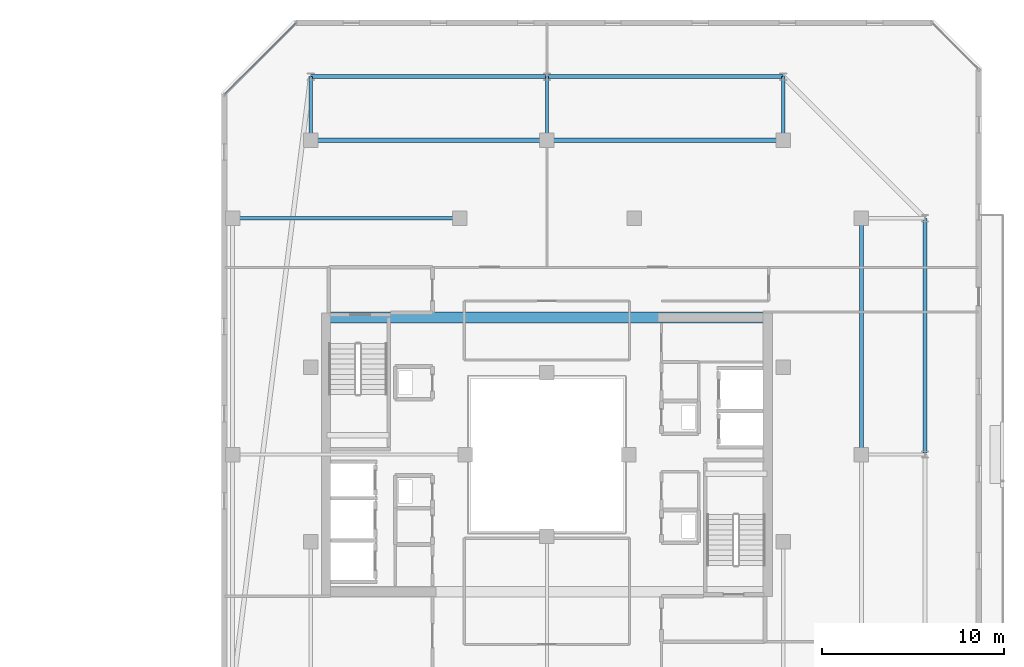
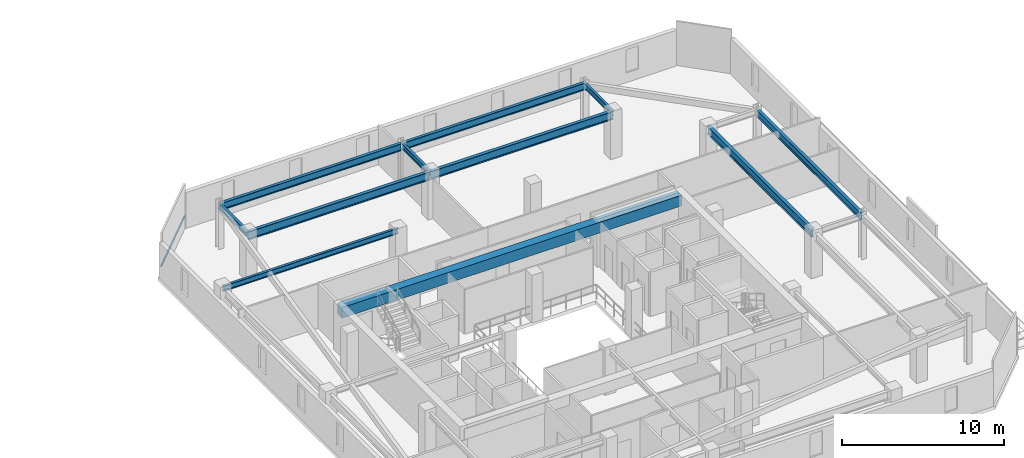
# One storey, part 17 of 34: 11 beams, 1 member, 1 element without a shape of its own.
"""IFC4 building model written with IfcOpenShell, lengths in metres."""

from ifc_helpers import new_model, si_unit, direction, frame, origin, origin_2d, place, context, subcontext, project, spatial, rectangle, hollow_rectangle, i_section, extrude, material, material_profile, profile_set, type_object, element, aggregate, save


model = new_model("IFC4")

# Units and contexts
model_context = context("Model", 3, precision=1e-05, world=origin(), true_north=direction((0.0, 1.0)))
body_context = subcontext(model_context, "Body", "Model", "MODEL_VIEW")
ifc_project = project(units=[si_unit("LENGTHUNIT", "METRE"), si_unit("AREAUNIT", "SQUARE_METRE"), si_unit("VOLUMEUNIT", "CUBIC_METRE"), si_unit("PLANEANGLEUNIT", "RADIAN"), si_unit("MASSUNIT", "GRAM", prefix="KILO")], contexts=[model_context])

# Site, building, storey
site_placement = place(None, origin())
site = spatial("IfcSite", under=ifc_project, at=site_placement, CompositionType="ELEMENT")
building_placement = place(site_placement, origin())
building = spatial("IfcBuilding", under=site, at=building_placement, Name="Thornwick Lancets Civic Towers", CompositionType="ELEMENT")
storey_placement = place(building_placement, frame((0.0, 0.0, 258.300048828125)))
storey = spatial("IfcBuildingStorey", under=building, at=storey_placement, Name="L69", CompositionType="ELEMENT", Elevation=258.300048828125)

# Beams
ifc_material_1 = material(Name="Concrete C60/75", Category="concrete")
ifc_material_profile_1 = material_profile(ifc_material_1, rectangle(XDim=0.60009765625, YDim=0.800048828125, at=origin_2d()), Name="RC 600x800")
ifc_profile_set_1 = profile_set([ifc_material_profile_1], Name="Concrete C60/75")
beam_type_1 = type_object("IfcBeamType", Name="BM_COUP_RC800", PredefinedType="BEAM", material=ifc_profile_set_1)
beam_1_placement = place(storey_placement, frame((76.39990234375, 34.550048828125, 2.9599609375), z_axis=(1.0, 0.0, 0.0), x_axis=(0.0, 1.0, 0.0)))
element("IfcBeam", 1, at=beam_1_placement, inside=storey, type_object=beam_type_1, Name="CB-L69-B1", PredefinedType="BEAM", context=body_context, shape_type="SweptSolid", body=[
    extrude(rectangle(XDim=0.60009765625, YDim=0.800048828125, at=origin_2d()), origin(), (0.0, 0.0, 1.0), 24.2001953125),
])
ifc_material_2 = material(Name="Steel S355JR", Category="steel")
ifc_material_profile_2 = material_profile(ifc_material_2, i_section(OverallWidth=0.210693359375, OverallDepth=0.53955078125, WebThickness=0.01171875, FlangeThickness=0.018798828125, FilletRadius=0.0126953125, at=origin_2d()), Name="UKB 533x210x109")
ifc_profile_set_2 = profile_set([ifc_material_profile_2], Name="Steel S355JR")
beam_type_2 = type_object("IfcBeamType", Name="BM_EDGE_533_109", PredefinedType="SPANDREL", material=ifc_profile_set_2)
beam_2_placement = place(storey_placement, frame((109.300048828125, 27.080078125, 3.09033203125), z_axis=(0.0, 1.0, 0.0), x_axis=(-1.0, 0.0, 0.0)))
element("IfcBeam", 2, at=beam_2_placement, inside=storey, type_object=beam_type_2, Name="BM-EDGE-L69-B-S0-2", PredefinedType="SPANDREL", context=body_context, shape_type="SweptSolid", body=[
    extrude(i_section(OverallWidth=0.210693359375, OverallDepth=0.53955078125, WebThickness=0.01171875, FlangeThickness=0.018798828125, FilletRadius=0.0126953125, at=origin_2d()), origin(), (0.0, 0.0, 1.0), 12.919921875),
])
beam_3_placement = place(storey_placement, frame((101.5, 47.800048828125, 3.09033203125), z_axis=(-1.0, 0.0, 0.0), x_axis=(0.0, -1.0, 0.0)))
element("IfcBeam", 3, at=beam_3_placement, inside=storey, type_object=beam_type_2, Name="BM-EDGE-L69-B-S1-1", PredefinedType="SPANDREL", context=body_context, shape_type="SweptSolid", body=[
    extrude(i_section(OverallWidth=0.210693359375, OverallDepth=0.53955078125, WebThickness=0.01171875, FlangeThickness=0.018798828125, FilletRadius=0.0126953125, at=origin_2d()), origin(), (0.0, 0.0, 1.0), 13.0),
])
beam_4_placement = place(storey_placement, frame((88.419921875, 47.800048828125, 3.09033203125), z_axis=(-1.0, 0.0, 0.0), x_axis=(0.0, -1.0, 0.0)))
element("IfcBeam", 4, at=beam_4_placement, inside=storey, type_object=beam_type_2, Name="BM-EDGE-L69-B-S1-2", PredefinedType="SPANDREL", context=body_context, shape_type="SweptSolid", body=[
    extrude(i_section(OverallWidth=0.210693359375, OverallDepth=0.53955078125, WebThickness=0.01171875, FlangeThickness=0.018798828125, FilletRadius=0.0126953125, at=origin_2d()), origin(), (0.0, 0.0, 1.0), 12.919921875),
])
ifc_material_profile_3 = material_profile(ifc_material_2, i_section(OverallWidth=0.230224609375, OverallDepth=0.6171875, WebThickness=0.01318359375, FlangeThickness=0.022216796875, FilletRadius=0.0126953125, at=origin_2d()), Name="UKB 610x229x140")
ifc_profile_set_3 = profile_set([ifc_material_profile_3], Name="Steel S355JR")
beam_type_3 = type_object("IfcBeamType", Name="BM_GIRD_610_140", PredefinedType="BEAM", material=ifc_profile_set_3)
beam_5_placement = place(storey_placement, frame((105.800048828125, 27.080078125, 3.05126953125), z_axis=(0.0, 1.0, 0.0), x_axis=(-1.0, 0.0, 0.0)))
element("IfcBeam", 5, at=beam_5_placement, inside=storey, type_object=beam_type_3, Name="BM-SPINE-L69-B-1-2", PredefinedType="BEAM", context=body_context, shape_type="SweptSolid", body=[
    extrude(i_section(OverallWidth=0.230224609375, OverallDepth=0.6171875, WebThickness=0.01318359375, FlangeThickness=0.022216796875, FilletRadius=0.0126953125, at=origin_2d()), origin(), (0.0, 0.0, 1.0), 12.919921875),
])
beam_6_placement = place(storey_placement, frame((101.5, 44.300048828125, 3.05126953125), z_axis=(-1.0, 0.0, 0.0), x_axis=(0.0, -1.0, 0.0)))
element("IfcBeam", 6, at=beam_6_placement, inside=storey, type_object=beam_type_3, Name="BM-SPINE-L69-B-3-4", PredefinedType="BEAM", context=body_context, shape_type="SweptSolid", body=[
    extrude(i_section(OverallWidth=0.230224609375, OverallDepth=0.6171875, WebThickness=0.01318359375, FlangeThickness=0.022216796875, FilletRadius=0.0126953125, at=origin_2d()), origin(), (0.0, 0.0, 1.0), 13.0),
])
beam_7_placement = place(storey_placement, frame((88.419921875, 44.300048828125, 3.05126953125), z_axis=(-1.0, 0.0, 0.0), x_axis=(0.0, -1.0, 0.0)))
element("IfcBeam", 7, at=beam_7_placement, inside=storey, type_object=beam_type_3, Name="BM-SPINE-L69-B-4-5", PredefinedType="BEAM", context=body_context, shape_type="SweptSolid", body=[
    extrude(i_section(OverallWidth=0.230224609375, OverallDepth=0.6171875, WebThickness=0.01318359375, FlangeThickness=0.022216796875, FilletRadius=0.0126953125, at=origin_2d()), origin(), (0.0, 0.0, 1.0), 12.919921875),
])
ifc_material_profile_4 = material_profile(ifc_material_2, i_section(OverallWidth=0.179443359375, OverallDepth=0.412841796875, WebThickness=0.009521484375, FlangeThickness=0.01611328125, FilletRadius=0.01025390625, at=origin_2d()), Name="UKB 406x178x74")
ifc_profile_set_4 = profile_set([ifc_material_profile_4], Name="Steel S355JR")
beam_type_4 = type_object("IfcBeamType", Name="BM_JOIST_406_74", PredefinedType="JOIST", material=ifc_profile_set_4)
for number, where, z_axis, x_axis, name in (
    (8, (101.5, 44.300048828125, 3.153564453125), (0.0, 1.0, 0.0), (-1.0, 0.0, 0.0), "BM-RAD-L69-B04"),
    (9, (88.5, 44.300048828125, 3.153564453125), (0.0, 1.0, 0.0), (-1.0, 0.0, 0.0), "BM-RAD-L69-B05"),
    (10, (75.5, 44.300048828125, 3.153564453125), (0.0, 1.0, 0.0), (-1.0, 0.0, 0.0), "BM-RAD-L69-B06"),
):
    element("IfcBeam", number, at=place(storey_placement, frame(where, z_axis=z_axis, x_axis=x_axis)), inside=storey, type_object=beam_type_4, Name=name, PredefinedType="JOIST", context=body_context, shape_type="SweptSolid", body=[
        extrude(i_section(OverallWidth=0.179443359375, OverallDepth=0.412841796875, WebThickness=0.009521484375, FlangeThickness=0.01611328125, FilletRadius=0.01025390625, at=origin_2d()), origin(), (0.0, 0.0, 1.0), 3.5),
    ])
beam_8_placement = place(storey_placement, frame((83.699951171875, 40.0, 3.153564453125), z_axis=(-1.0, 0.0, 0.0), x_axis=(0.0, -1.0, 0.0)))
element("IfcBeam", 11, at=beam_8_placement, inside=storey, type_object=beam_type_4, Name="BM-RADIN-L69-B09", PredefinedType="JOIST", context=body_context, shape_type="SweptSolid", body=[
    extrude(i_section(OverallWidth=0.179443359375, OverallDepth=0.412841796875, WebThickness=0.009521484375, FlangeThickness=0.01611328125, FilletRadius=0.01025390625, at=origin_2d()), origin(), (0.0, 0.0, 1.0), 12.5),
])

# Curtain wall, member
ifc_material_3 = material(Name="High-zone chamfered-corner unitised glass curtain wall", Category="glass")
curtain_wall_type = type_object("IfcCurtainWallType", Name="CW_SYS_05", PredefinedType="NOTDEFINED", material=ifc_material_3)
curtain_wall_placement = place(storey_placement, origin())
curtain_wall = element("IfcCurtainWall", 12, at=curtain_wall_placement, inside=storey, type_object=curtain_wall_type, Name="L69 Curtain Wall CW-L69-B-E5", PredefinedType="NOTDEFINED")
ifc_material_4 = material(Name="Thermally broken bronze aluminium S355", Category="steel")
ifc_material_profile_5 = material_profile(ifc_material_4, hollow_rectangle(XDim=0.074951171875, YDim=0.14990234375, WallThickness=0.0048828125, at=origin_2d()), Name="RHS 150x75x5")
ifc_profile_set_5 = profile_set([ifc_material_profile_5], Name="Thermally broken bronze aluminium S355")
member_type = type_object("IfcMemberType", Name="CW_TRN_150", PredefinedType="USERDEFINED", material=ifc_profile_set_5)
member_placement = place(storey_placement, frame((74.68408203125, 50.74609375, 0.849853515625), z_axis=(-0.707106781187, -0.707106781187, 0.0), x_axis=(0.707106781187, -0.707106781187, 0.0)))
member = element("IfcMember", 13, at=member_placement, type_object=member_type, Name="CW-L69-B-E5 Transom 0", ObjectType="TRANSOM", PredefinedType="USERDEFINED", context=body_context, shape_type="SweptSolid", body=[
    extrude(hollow_rectangle(XDim=0.074951171875, YDim=0.14990234375, WallThickness=0.0048828125, at=origin_2d()), origin(), (0.0, 0.0, 1.0), 5.55810546875),
])
aggregate(curtain_wall, [member])

save(model, "model.ifc")
